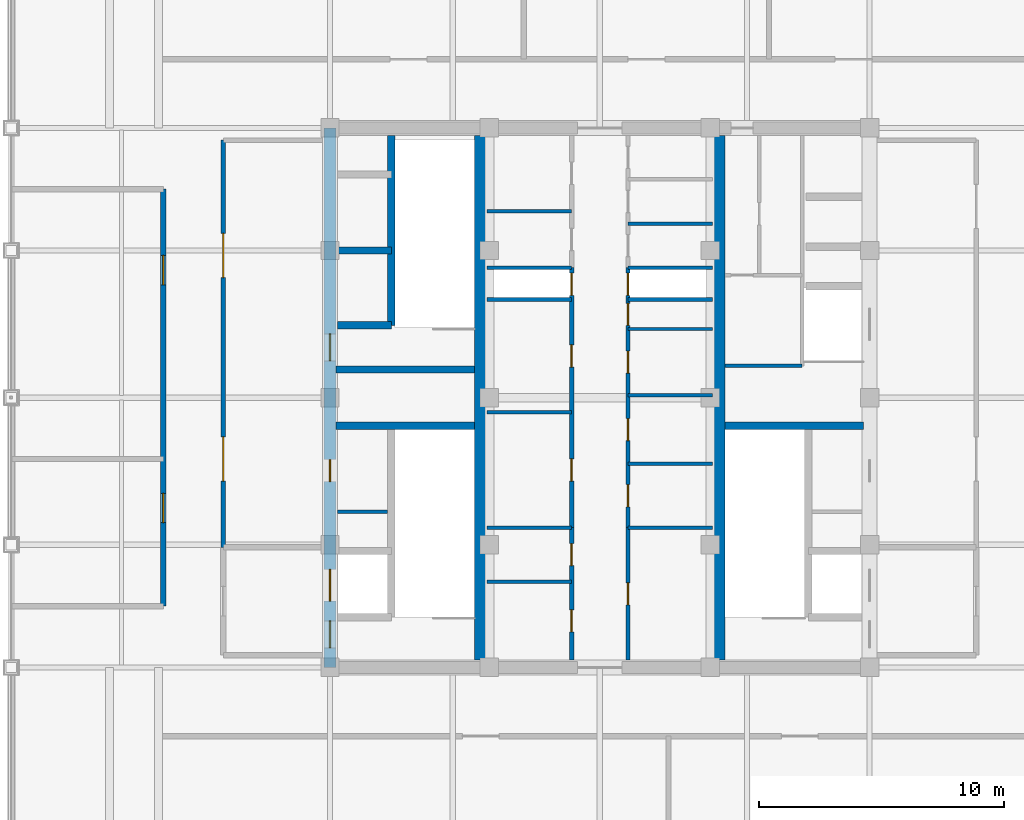
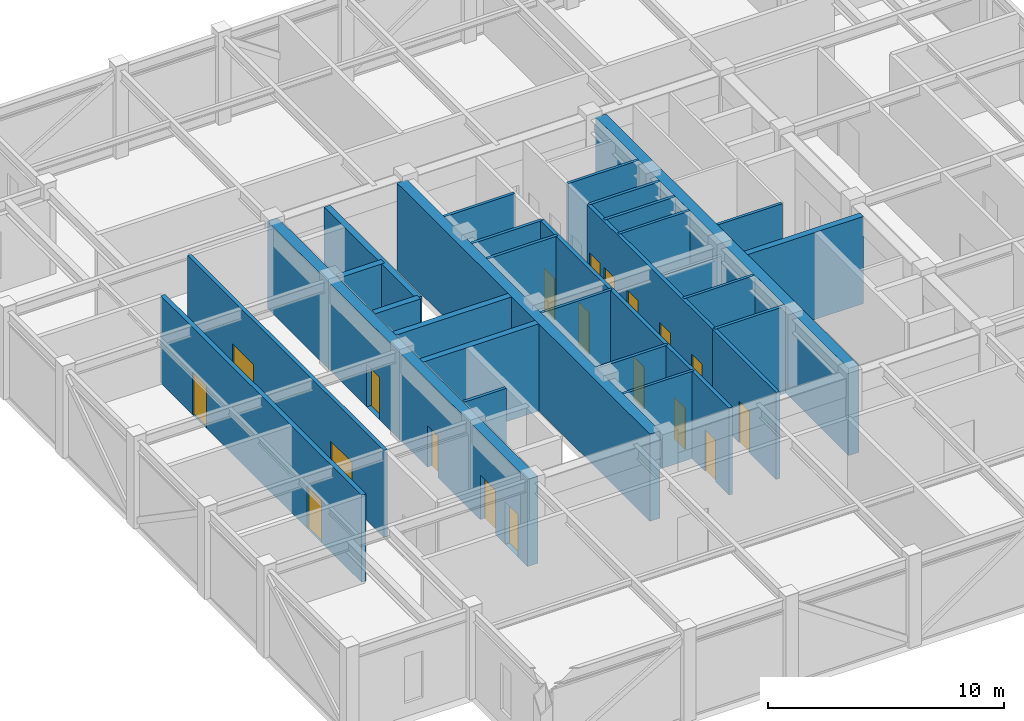
# One storey, part 24 of 27: 30 walls, 19 doors, 19 openings.
"""IFC4 building model written with IfcOpenShell, lengths in metres."""

from ifc_helpers import new_model, si_unit, direction, frame, frame_2d, origin, place, context, subcontext, project, spatial, rectangle, extrude, source, transform, mapped, material, layer, layer_set, type_object, element, fill, save


model = new_model("IFC4")

# Units and contexts
model_context = context("Model", 3, precision=1e-05, world=origin(), true_north=direction((0.0, 1.0)))
body_context = subcontext(model_context, "Body", "Model", "MODEL_VIEW")
ifc_project = project(units=[si_unit("LENGTHUNIT", "METRE"), si_unit("AREAUNIT", "SQUARE_METRE"), si_unit("VOLUMEUNIT", "CUBIC_METRE"), si_unit("PLANEANGLEUNIT", "RADIAN"), si_unit("MASSUNIT", "GRAM", prefix="KILO")], contexts=[model_context])

# Site, building, storey
site_placement = place(None, origin())
site = spatial("IfcSite", under=ifc_project, at=site_placement, CompositionType="ELEMENT")
building_placement = place(site_placement, origin())
building = spatial("IfcBuilding", under=site, at=building_placement, Name="Khorayat Bourse Tower", CompositionType="ELEMENT")
storey_placement = place(building_placement, frame((0.0, 0.0, 399.5)))
storey = spatial("IfcBuildingStorey", under=building, at=storey_placement, Name="L94", CompositionType="ELEMENT", Elevation=399.5)

# Wall, openings, doors
ifc_material_1 = material(Name="Concrete C52/65", Category="concrete")
ifc_layer_1 = layer(ifc_material_1, 0.5)
ifc_layer_set_1 = layer_set([ifc_layer_1], Name="Concrete C52/65")
wall_type_1 = type_object("IfcWallType", Name="WAL-CORE-500", PredefinedType="SHEAR", material=ifc_layer_set_1)
shared_shape_1 = source(origin(), body_context, "Body", "SweptSolid", [
    extrude(rectangle(XDim=22.0, YDim=0.5, at=frame_2d((11.0, 0.0))), origin(), (0.0, 0.0, 1.0), 4.5),
])
wall_1_placement = place(storey_placement, frame((-11.0, -11.0, 0.0), z_axis=(0.0, 0.0, 1.0), x_axis=(0.0, 1.0, 0.0)))
wall_1 = element("IfcWall", 1, at=wall_1_placement, inside=storey, type_object=wall_type_1, Name="L94 Core Shear Wall CORE-W", PredefinedType="SHEAR", context=body_context, shape_type="MappedRepresentation", body=[
    mapped(shared_shape_1, transform((0.0, 0.0, 0.0), scale=1.0)),
])
shared_shape_2 = source(origin(), body_context, "Body", "SweptSolid", [
    extrude(rectangle(XDim=1.10009765625, YDim=2.199951171875, at=frame_2d((0.550048828125, 1.10009765625))), frame((0.0, 0.260009765625, 0.0), z_axis=(0.0, -1.0, 0.0), x_axis=(1.0, 0.0, 0.0)), (0.0, 0.0, 1.0), 0.52001953125),
])
opening_1_placement = place(wall_1_placement, frame((0.800048828125, 0.0, 0.0)))
opening_1 = element("IfcOpeningElement", 2, at=opening_1_placement, cuts=wall_1, Name="Opening DI-01", PredefinedType="OPENING", context=body_context, shape_type="MappedRepresentation", body=[
    mapped(shared_shape_2, transform((0.0, 0.0, 0.0), scale=1.0)),
])
opening_2_placement = place(wall_1_placement, frame((12.5, 0.0, 0.0)))
opening_2 = element("IfcOpeningElement", 3, at=opening_2_placement, cuts=wall_1, Name="Opening DI-01", PredefinedType="OPENING", context=body_context, shape_type="MappedRepresentation", body=[
    mapped(shared_shape_2, transform((0.0, 0.0, 0.0), scale=1.0)),
])
shared_shape_3 = source(origin(), body_context, "Body", "SweptSolid", [
    extrude(rectangle(XDim=0.89990234375, YDim=2.14990234375, at=frame_2d((0.449951171875, 1.074951171875))), frame((0.0, 0.260009765625, 0.0), z_axis=(0.0, -1.0, 0.0), x_axis=(1.0, 0.0, 0.0)), (0.0, 0.0, 1.0), 0.52001953125),
])
opening_3_placement = place(wall_1_placement, frame((7.574951171875, 0.0, 0.0)))
opening_3 = element("IfcOpeningElement", 4, at=opening_3_placement, cuts=wall_1, Name="Opening DI-06", PredefinedType="OPENING", context=body_context, shape_type="MappedRepresentation", body=[
    mapped(shared_shape_3, transform((0.0, 0.0, 0.0), scale=1.0)),
])
shared_shape_4 = source(origin(), body_context, "Body", "SweptSolid", [
    extrude(rectangle(XDim=1.300048828125, YDim=2.300048828125, at=frame_2d((0.64990234375, 1.14990234375))), frame((0.0, 0.260009765625, 0.0), z_axis=(0.0, -1.0, 0.0), x_axis=(1.0, 0.0, 0.0)), (0.0, 0.0, 1.0), 0.52001953125),
])
opening_4_placement = place(wall_1_placement, frame((2.699951171875, 0.0, 0.0)))
opening_4 = element("IfcOpeningElement", 5, at=opening_4_placement, cuts=wall_1, Name="Opening LD-02", PredefinedType="OPENING", context=body_context, shape_type="MappedRepresentation", body=[
    mapped(shared_shape_4, transform((0.0, 0.0, 0.0), scale=1.0)),
])
ifc_material_2 = material(Name="Fire-rated steel acoustic leaf", Category="steel")
door_type_1 = type_object("IfcDoorType", Name="DR-INT-STAIR-1100", OperationType="NOTDEFINED", PredefinedType="DOOR", material=ifc_material_2)
shared_shape_5 = source(origin(), body_context, "Body", "SweptSolid", [
    extrude(rectangle(XDim=1.10009765625, YDim=2.199951171875, at=frame_2d((0.550048828125, 1.10009765625))), frame((0.0, 0.02490234375, 0.0), z_axis=(0.0, -1.0, 0.0), x_axis=(1.0, 0.0, 0.0)), (0.0, 0.0, 1.0), 0.050048828125),
])
door_1_placement = place(opening_1_placement, origin())
door_1 = element("IfcDoor", 6, at=door_1_placement, inside=storey, type_object=door_type_1, Name="L94 Exit Stair 1 Door", OperationType="SINGLE_SWING_RIGHT", OverallHeight=2.199951171875, OverallWidth=1.10009765625, PredefinedType="DOOR", context=body_context, shape_type="MappedRepresentation", body=[
    mapped(shared_shape_5, transform((0.0, 0.0, 0.0), scale=1.0)),
])
fill(opening_1, door_1)
door_2_placement = place(opening_2_placement, origin())
door_2 = element("IfcDoor", 7, at=door_2_placement, inside=storey, type_object=door_type_1, Name="L94 Exit Stair 2 Door", OperationType="SINGLE_SWING_RIGHT", OverallHeight=2.199951171875, OverallWidth=1.10009765625, PredefinedType="DOOR", context=body_context, shape_type="MappedRepresentation", body=[
    mapped(shared_shape_5, transform((0.0, 0.0, 0.0), scale=1.0)),
])
fill(opening_2, door_2)
ifc_material_3 = material(Name="Moisture-resistant laminate washroom door")
door_type_2 = type_object("IfcDoorType", Name="DR-INT-WC-900", OperationType="NOTDEFINED", PredefinedType="DOOR", material=ifc_material_3)
shared_shape_6 = source(origin(), body_context, "Body", "SweptSolid", [
    extrude(rectangle(XDim=0.89990234375, YDim=2.14990234375, at=frame_2d((0.449951171875, 1.074951171875))), frame((0.0, 0.02490234375, 0.0), z_axis=(0.0, -1.0, 0.0), x_axis=(1.0, 0.0, 0.0)), (0.0, 0.0, 1.0), 0.050048828125),
])
door_3_placement = place(opening_3_placement, origin())
door_3 = element("IfcDoor", 8, at=door_3_placement, inside=storey, type_object=door_type_2, Name="L94 UPS Switch Plant Room Door", OperationType="SINGLE_SWING_RIGHT", OverallHeight=2.14990234375, OverallWidth=0.89990234375, PredefinedType="DOOR", context=body_context, shape_type="MappedRepresentation", body=[
    mapped(shared_shape_6, transform((0.0, 0.0, 0.0), scale=1.0)),
])
fill(opening_3, door_3)
ifc_material_4 = material(Name="Fire-rated stainless-steel sliding landing door", Category="steel")
door_type_3 = type_object("IfcDoorType", Name="DR-LIFT-FF-1300", OperationType="NOTDEFINED", PredefinedType="DOOR", material=ifc_material_4)
shared_shape_7 = source(origin(), body_context, "Body", "SweptSolid", [
    extrude(rectangle(XDim=1.300048828125, YDim=2.300048828125, at=frame_2d((0.64990234375, 1.14990234375))), frame((0.0, 0.02490234375, 0.0), z_axis=(0.0, -1.0, 0.0), x_axis=(1.0, 0.0, 0.0)), (0.0, 0.0, 1.0), 0.050048828125),
])
door_4_placement = place(opening_4_placement, origin())
door_4 = element("IfcDoor", 9, at=door_4_placement, inside=storey, type_object=door_type_3, Name="L94 Lift FFL-01 Sliding Landing Door", OperationType="SLIDING_TO_LEFT", OverallHeight=2.300048828125, OverallWidth=1.300048828125, PredefinedType="DOOR", context=body_context, shape_type="MappedRepresentation", body=[
    mapped(shared_shape_7, transform((0.0, 0.0, 0.0), scale=1.0)),
])
fill(opening_4, door_4)

# Walls
shared_shape_8 = source(origin(), body_context, "Body", "SweptSolid", [
    extrude(rectangle(XDim=21.39990234375, YDim=0.5, at=frame_2d((10.699951171875, 0.0))), origin(), (0.0, 0.0, 1.0), 4.5),
])
for number, where, z_axis, x_axis, name in (
    (10, (-4.85009765625, -10.699951171875, 0.0), (0.0, 0.0, 1.0), (0.0, 1.0, 0.0), "L94 Core Shear Wall PIER-W"),
    (11, (4.85009765625, -10.699951171875, 0.0), (0.0, 0.0, 1.0), (0.0, 1.0, 0.0), "L94 Core Shear Wall PIER-E"),
):
    element("IfcWall", number, at=place(storey_placement, frame(where, z_axis=z_axis, x_axis=x_axis)), inside=storey, type_object=wall_type_1, Name=name, PredefinedType="SHEAR", context=body_context, shape_type="MappedRepresentation", body=[
        mapped(shared_shape_8, transform((0.0, 0.0, 0.0), scale=1.0)),
    ])
ifc_material_5 = material(Name="Concrete C50/60", Category="concrete")
ifc_layer_2 = layer(ifc_material_5, 0.300048828125)
ifc_layer_set_2 = layer_set([ifc_layer_2], Name="Concrete C50/60")
wall_type_2 = type_object("IfcWallType", Name="WAL-SHAFT-300", PredefinedType="SHEAR", material=ifc_layer_set_2)
shared_shape_9 = source(origin(), body_context, "Body", "SweptSolid", [
    extrude(rectangle(XDim=5.64990234375, YDim=0.300048828125, at=frame_2d((2.824951171875, 0.0))), origin(), (0.0, 0.0, 1.0), 4.5),
])
for number, where, z_axis, x_axis, name in (
    (12, (-10.75, -1.14990234375, 0.0), (0.0, 0.0, 1.0), (1.0, 0.0, 0.0), "L94 Core Shear Wall ST1-DIV"),
    (13, (-10.75, 1.14990234375, 0.0), (0.0, 0.0, 1.0), (1.0, 0.0, 0.0), "L94 Core Shear Wall ST2-DIV"),
    (14, (5.10009765625, -1.14990234375, 0.0), (0.0, 0.0, 1.0), (1.0, 0.0, 0.0), "L94 Core Shear Wall ST3-DIV"),
):
    element("IfcWall", number, at=place(storey_placement, frame(where, z_axis=z_axis, x_axis=x_axis)), inside=storey, type_object=wall_type_2, Name=name, PredefinedType="SHEAR", context=body_context, shape_type="MappedRepresentation", body=[
        mapped(shared_shape_9, transform((0.0, 0.0, 0.0), scale=1.0)),
    ])
shared_shape_10 = source(origin(), body_context, "Body", "SweptSolid", [
    extrude(rectangle(XDim=2.199951171875, YDim=0.300048828125, at=frame_2d((1.10009765625, 0.0))), origin(), (0.0, 0.0, 1.0), 4.5),
])
for number, where, z_axis, x_axis, name in (
    (15, (-10.699951171875, 2.949951171875, 0.0), (0.0, 0.0, 1.0), (1.0, 0.0, 0.0), "L94 Partition WAL-L94-WPIER-H1S"),
    (16, (-10.699951171875, 6.0, 0.0), (0.0, 0.0, 1.0), (1.0, 0.0, 0.0), "L94 Partition WAL-L94-WPIER-H12"),
):
    element("IfcWall", number, at=place(storey_placement, frame(where, z_axis=z_axis, x_axis=x_axis)), inside=storey, type_object=wall_type_2, Name=name, PredefinedType="SHEAR", context=body_context, shape_type="MappedRepresentation", body=[
        mapped(shared_shape_10, transform((0.0, 0.0, 0.0), scale=1.0)),
    ])
shared_shape_11 = source(origin(), body_context, "Body", "SweptSolid", [
    extrude(rectangle(XDim=7.75, YDim=0.300048828125, at=frame_2d((3.875, 0.0))), origin(), (0.0, 0.0, 1.0), 4.5),
])
wall_2_placement = place(storey_placement, frame((-8.5, 2.949951171875, 0.0), z_axis=(0.0, 0.0, 1.0), x_axis=(0.0, 1.0, 0.0)))
element("IfcWall", 17, at=wall_2_placement, inside=storey, type_object=wall_type_2, Name="L94 Partition WAL-L94-WPIER-ST2S", PredefinedType="SHEAR", context=body_context, shape_type="MappedRepresentation", body=[
    mapped(shared_shape_11, transform((0.0, 0.0, 0.0), scale=1.0)),
])
ifc_material_6 = material(Name="Gypsum plasterboard twin-frame partition")
ifc_layer_3 = layer(ifc_material_6, 0.14990234375)
ifc_layer_set_3 = layer_set([ifc_layer_3], Name="Gypsum plasterboard twin-frame partition")
wall_type_3 = type_object("IfcWallType", Name="WAL-PART-SUITE-150", PredefinedType="PARTITIONING", material=ifc_layer_set_3)
shared_shape_12 = source(origin(), body_context, "Body", "SweptSolid", [
    extrude(rectangle(XDim=2.050048828125, YDim=0.14990234375, at=frame_2d((1.02490234375, 0.0))), origin(), (0.0, 0.0, 1.0), 4.5),
])
wall_3_placement = place(storey_placement, frame((-10.699951171875, -4.64990234375, 0.0), z_axis=(0.0, 0.0, 1.0), x_axis=(1.0, 0.0, 0.0)))
element("IfcWall", 18, at=wall_3_placement, inside=storey, type_object=wall_type_3, Name="L94 Partition WAL-L94-WSRV-S0", PredefinedType="PARTITIONING", context=body_context, shape_type="MappedRepresentation", body=[
    mapped(shared_shape_12, transform((0.0, 0.0, 0.0), scale=1.0)),
])
ifc_material_7 = material(Name="Moisture-resistant masonry partition", Category="masonry")
ifc_layer_4 = layer(ifc_material_7, 0.139892578125)
ifc_layer_set_4 = layer_set([ifc_layer_4], Name="Moisture-resistant masonry partition")
wall_type_4 = type_object("IfcWallType", Name="WAL-PART-WET-140", PredefinedType="PARTITIONING", material=ifc_layer_set_4)
shared_shape_13 = source(origin(), body_context, "Body", "SweptSolid", [
    extrude(rectangle(XDim=3.14990234375, YDim=0.139892578125, at=frame_2d((1.574951171875, 0.0))), origin(), (0.0, 0.0, 1.0), 4.5),
])
wall_4_placement = place(storey_placement, frame((5.10009765625, 1.300048828125, 0.0), z_axis=(0.0, 0.0, 1.0), x_axis=(1.0, 0.0, 0.0)))
element("IfcWall", 19, at=wall_4_placement, inside=storey, type_object=wall_type_4, Name="L94 Partition WAL-L94-ECORE-S", PredefinedType="PARTITIONING", context=body_context, shape_type="MappedRepresentation", body=[
    mapped(shared_shape_13, transform((0.0, 0.0, 0.0), scale=1.0)),
])

# Wall, openings, doors
ifc_material_8 = material(Name="Gypsum plasterboard acoustic stud wall")
ifc_layer_5 = layer(ifc_material_8, 0.179931640625)
ifc_layer_set_5 = layer_set([ifc_layer_5], Name="Gypsum plasterboard acoustic stud wall")
wall_type_5 = type_object("IfcWallType", Name="WAL-PART-CORR-180", PredefinedType="PARTITIONING", material=ifc_layer_set_5)
shared_shape_14 = source(origin(), body_context, "Body", "SweptSolid", [
    extrude(rectangle(XDim=16.60009765625, YDim=0.179931640625, at=frame_2d((8.300048828125, 0.0))), origin(), (0.0, 0.0, 1.0), 4.5),
])
wall_5_placement = place(storey_placement, frame((-15.35009765625, -6.10009765625, 0.0), z_axis=(0.0, 0.0, 1.0), x_axis=(0.0, 1.0, 0.0)))
wall_5 = element("IfcWall", 20, at=wall_5_placement, inside=storey, type_object=wall_type_5, Name="L94 Partition WAL-L94-WLOB-W", PredefinedType="PARTITIONING", context=body_context, shape_type="MappedRepresentation", body=[
    mapped(shared_shape_14, transform((0.0, 0.0, 0.0), scale=1.0)),
])
shared_shape_15 = source(origin(), body_context, "Body", "SweptSolid", [
    extrude(rectangle(XDim=1.800048828125, YDim=2.25, at=frame_2d((0.89990234375, 1.125))), frame((0.0, 0.099853515625, 0.0), z_axis=(0.0, -1.0, 0.0), x_axis=(1.0, 0.0, 0.0)), (0.0, 0.0, 1.0), 0.199951171875),
])
opening_5_placement = place(wall_5_placement, frame((2.699951171875, 0.0, 0.0)))
opening_5 = element("IfcOpeningElement", 21, at=opening_5_placement, cuts=wall_5, Name="Opening DI-03", PredefinedType="OPENING", context=body_context, shape_type="MappedRepresentation", body=[
    mapped(shared_shape_15, transform((0.0, 0.0, 0.0), scale=1.0)),
])
opening_6_placement = place(wall_5_placement, frame((11.0, 0.0, 0.0)))
opening_6 = element("IfcOpeningElement", 22, at=opening_6_placement, cuts=wall_5, Name="Opening DI-03", PredefinedType="OPENING", context=body_context, shape_type="MappedRepresentation", body=[
    mapped(shared_shape_15, transform((0.0, 0.0, 0.0), scale=1.0)),
])
ifc_material_9 = material(Name="Fire-rated hardwood vision-panel double leaf", Category="wood")
door_type_4 = type_object("IfcDoorType", Name="DR-INT-CORR-1800", OperationType="NOTDEFINED", PredefinedType="DOOR", material=ifc_material_9)
shared_shape_16 = source(origin(), body_context, "Body", "SweptSolid", [
    extrude(rectangle(XDim=1.800048828125, YDim=2.25, at=frame_2d((0.89990234375, 1.125))), frame((0.0, 0.02490234375, 0.0), z_axis=(0.0, -1.0, 0.0), x_axis=(1.0, 0.0, 0.0)), (0.0, 0.0, 1.0), 0.050048828125),
])
door_5_placement = place(opening_5_placement, origin())
door_5 = element("IfcDoor", 23, at=door_5_placement, inside=storey, type_object=door_type_4, Name="L94 West Core Lobby South Door", OperationType="SINGLE_SWING_LEFT", OverallHeight=2.25, OverallWidth=1.800048828125, PredefinedType="DOOR", context=body_context, shape_type="MappedRepresentation", body=[
    mapped(shared_shape_16, transform((0.0, 0.0, 0.0), scale=1.0)),
])
fill(opening_5, door_5)
door_6_placement = place(opening_6_placement, origin())
door_6 = element("IfcDoor", 24, at=door_6_placement, inside=storey, type_object=door_type_4, Name="L94 West Core Lobby North Door", OperationType="SINGLE_SWING_RIGHT", OverallHeight=2.25, OverallWidth=1.800048828125, PredefinedType="DOOR", context=body_context, shape_type="MappedRepresentation", body=[
    mapped(shared_shape_16, transform((0.0, 0.0, 0.0), scale=1.0)),
])
fill(opening_6, door_6)

# Walls
shared_shape_17 = source(origin(), body_context, "Body", "SweptSolid", [
    extrude(rectangle(XDim=3.4501953125, YDim=0.14990234375, at=frame_2d((1.72509765625, 0.0))), origin(), (0.0, 0.0, 1.0), 4.5),
])
for number, where, z_axis, x_axis, name in (
    (25, (-4.60009765625, 4.0, 0.0), (0.0, 0.0, 1.0), (1.0, 0.0, 0.0), "L94 Partition WAL-L94-CRSW-S"),
    (26, (1.14990234375, 4.0, 0.0), (0.0, 0.0, 1.0), (1.0, 0.0, 0.0), "L94 Partition WAL-L94-CRSE-S"),
    (27, (-4.60009765625, -5.300048828125, 0.0), (0.0, 0.0, 1.0), (1.0, 0.0, 0.0), "L94 Partition WAL-L94-FB1-NW"),
    (28, (1.14990234375, -5.300048828125, 0.0), (0.0, 0.0, 1.0), (1.0, 0.0, 0.0), "L94 Partition WAL-L94-FB1-NE"),
    (29, (-4.60009765625, 5.300048828125, 0.0), (0.0, 0.0, 1.0), (1.0, 0.0, 0.0), "L94 Partition WAL-L94-FB2-SW"),
    (30, (1.14990234375, 5.300048828125, 0.0), (0.0, 0.0, 1.0), (1.0, 0.0, 0.0), "L94 Partition WAL-L94-FB2-SE"),
):
    element("IfcWall", number, at=place(storey_placement, frame(where, z_axis=z_axis, x_axis=x_axis)), inside=storey, type_object=wall_type_3, Name=name, PredefinedType="PARTITIONING", context=body_context, shape_type="MappedRepresentation", body=[
        mapped(shared_shape_17, transform((0.0, 0.0, 0.0), scale=1.0)),
    ])
shared_shape_18 = source(origin(), body_context, "Body", "SweptSolid", [
    extrude(rectangle(XDim=3.4501953125, YDim=0.139892578125, at=frame_2d((1.72509765625, 0.0))), origin(), (0.0, 0.0, 1.0), 4.5),
])
for number, where, z_axis, x_axis, name in (
    (31, (-4.60009765625, -7.5, 0.0), (0.0, 0.0, 1.0), (1.0, 0.0, 0.0), "L94 Partition WAL-L94-FB1W-D1"),
    (32, (-4.60009765625, 7.60009765625, 0.0), (0.0, 0.0, 1.0), (1.0, 0.0, 0.0), "L94 Partition WAL-L94-FB2W-D1"),
    (33, (1.14990234375, 7.10009765625, 0.0), (0.0, 0.0, 1.0), (1.0, 0.0, 0.0), "L94 Partition WAL-L94-FB2E-D1"),
    (34, (-4.60009765625, -0.60009765625, 0.0), (0.0, 0.0, 1.0), (1.0, 0.0, 0.0), "L94 Partition WAL-L94-CMW-D1"),
    (35, (1.14990234375, -2.699951171875, 0.0), (0.0, 0.0, 1.0), (1.0, 0.0, 0.0), "L94 Partition WAL-L94-CME-D1"),
    (36, (1.14990234375, 2.800048828125, 0.0), (0.0, 0.0, 1.0), (1.0, 0.0, 0.0), "L94 Partition WAL-L94-CME-D3"),
):
    element("IfcWall", number, at=place(storey_placement, frame(where, z_axis=z_axis, x_axis=x_axis)), inside=storey, type_object=wall_type_4, Name=name, PredefinedType="PARTITIONING", context=body_context, shape_type="MappedRepresentation", body=[
        mapped(shared_shape_18, transform((0.0, 0.0, 0.0), scale=1.0)),
    ])

# Wall, openings, doors
shared_shape_19 = source(origin(), body_context, "Body", "SweptSolid", [
    extrude(rectangle(XDim=5.39990234375, YDim=0.179931640625, at=frame_2d((2.699951171875, 0.0))), origin(), (0.0, 0.0, 1.0), 4.5),
])
wall_6_placement = place(storey_placement, frame((-1.14990234375, -10.699951171875, 0.0), z_axis=(0.0, 0.0, 1.0), x_axis=(0.0, 1.0, 0.0)))
wall_6 = element("IfcWall", 37, at=wall_6_placement, inside=storey, type_object=wall_type_5, Name="L94 Partition WAL-L94-FB1W-L", PredefinedType="PARTITIONING", context=body_context, shape_type="MappedRepresentation", body=[
    mapped(shared_shape_19, transform((0.0, 0.0, 0.0), scale=1.0)),
])
shared_shape_20 = source(origin(), body_context, "Body", "SweptSolid", [
    extrude(rectangle(XDim=0.89990234375, YDim=2.14990234375, at=frame_2d((0.449951171875, 1.074951171875))), frame((0.0, 0.099853515625, 0.0), z_axis=(0.0, -1.0, 0.0), x_axis=(1.0, 0.0, 0.0)), (0.0, 0.0, 1.0), 0.199951171875),
])
opening_7_placement = place(wall_6_placement, frame((1.14990234375, 0.0, 0.0)))
opening_7 = element("IfcOpeningElement", 38, at=opening_7_placement, cuts=wall_6, Name="Opening DI-06", PredefinedType="OPENING", context=body_context, shape_type="MappedRepresentation", body=[
    mapped(shared_shape_20, transform((0.0, 0.0, 0.0), scale=1.0)),
])
opening_8_placement = place(wall_6_placement, frame((3.85009765625, 0.0, 0.0)))
opening_8 = element("IfcOpeningElement", 39, at=opening_8_placement, cuts=wall_6, Name="Opening DI-06", PredefinedType="OPENING", context=body_context, shape_type="MappedRepresentation", body=[
    mapped(shared_shape_20, transform((0.0, 0.0, 0.0), scale=1.0)),
])
door_7_placement = place(opening_7_placement, origin())
door_7 = element("IfcDoor", 40, at=door_7_placement, inside=storey, type_object=door_type_2, Name="L94 Records Vault Store Door", OperationType="SINGLE_SWING_RIGHT", OverallHeight=2.14990234375, OverallWidth=0.89990234375, PredefinedType="DOOR", context=body_context, shape_type="MappedRepresentation", body=[
    mapped(shared_shape_6, transform((0.0, 0.0, 0.0), scale=1.0)),
])
fill(opening_7, door_7)
door_8_placement = place(opening_8_placement, origin())
door_8 = element("IfcDoor", 41, at=door_8_placement, inside=storey, type_object=door_type_2, Name="L94 Sprinkler Valve Plant Room Door", OperationType="SINGLE_SWING_LEFT", OverallHeight=2.14990234375, OverallWidth=0.89990234375, PredefinedType="DOOR", context=body_context, shape_type="MappedRepresentation", body=[
    mapped(shared_shape_6, transform((0.0, 0.0, 0.0), scale=1.0)),
])
fill(opening_8, door_8)

# Wall, opening, door
wall_7_placement = place(storey_placement, frame((1.14990234375, -10.699951171875, 0.0), z_axis=(0.0, 0.0, 1.0), x_axis=(0.0, 1.0, 0.0)))
wall_7 = element("IfcWall", 42, at=wall_7_placement, inside=storey, type_object=wall_type_5, Name="L94 Partition WAL-L94-FB1E-L", PredefinedType="PARTITIONING", context=body_context, shape_type="MappedRepresentation", body=[
    mapped(shared_shape_19, transform((0.0, 0.0, 0.0), scale=1.0)),
])
opening_9_placement = place(wall_7_placement, frame((2.25, 0.0, 0.0)))
opening_9 = element("IfcOpeningElement", 43, at=opening_9_placement, cuts=wall_7, Name="Opening DI-06", PredefinedType="OPENING", context=body_context, shape_type="MappedRepresentation", body=[
    mapped(shared_shape_20, transform((0.0, 0.0, 0.0), scale=1.0)),
])
door_9_placement = place(opening_9_placement, origin())
door_9 = element("IfcDoor", 44, at=door_9_placement, inside=storey, type_object=door_type_2, Name="L94 Telemetry Server Plant Room Door", OperationType="SINGLE_SWING_RIGHT", OverallHeight=2.14990234375, OverallWidth=0.89990234375, PredefinedType="DOOR", context=body_context, shape_type="MappedRepresentation", body=[
    mapped(shared_shape_6, transform((0.0, 0.0, 0.0), scale=1.0)),
])
fill(opening_9, door_9)

# Wall, openings, doors
shared_shape_21 = source(origin(), body_context, "Body", "SweptSolid", [
    extrude(rectangle(XDim=10.60009765625, YDim=0.179931640625, at=frame_2d((5.300048828125, 0.0))), origin(), (0.0, 0.0, 1.0), 4.5),
])
wall_8_placement = place(storey_placement, frame((-1.14990234375, -5.300048828125, 0.0), z_axis=(0.0, 0.0, 1.0), x_axis=(0.0, 1.0, 0.0)))
wall_8 = element("IfcWall", 45, at=wall_8_placement, inside=storey, type_object=wall_type_5, Name="L94 Partition WAL-L94-CMW-L", PredefinedType="PARTITIONING", context=body_context, shape_type="MappedRepresentation", body=[
    mapped(shared_shape_21, transform((0.0, 0.0, 0.0), scale=1.0)),
])
opening_10_placement = place(wall_8_placement, frame((1.89990234375, 0.0, 0.0)))
opening_10 = element("IfcOpeningElement", 46, at=opening_10_placement, cuts=wall_8, Name="Opening DI-06", PredefinedType="OPENING", context=body_context, shape_type="MappedRepresentation", body=[
    mapped(shared_shape_20, transform((0.0, 0.0, 0.0), scale=1.0)),
])
opening_11_placement = place(wall_8_placement, frame((6.550048828125, 0.0, 0.0)))
opening_11 = element("IfcOpeningElement", 47, at=opening_11_placement, cuts=wall_8, Name="Opening DI-06", PredefinedType="OPENING", context=body_context, shape_type="MappedRepresentation", body=[
    mapped(shared_shape_20, transform((0.0, 0.0, 0.0), scale=1.0)),
])
opening_12_placement = place(wall_8_placement, frame((9.47509765625, 0.0, 0.0)))
opening_12 = element("IfcOpeningElement", 48, at=opening_12_placement, cuts=wall_8, Name="Opening DI-06", PredefinedType="OPENING", context=body_context, shape_type="MappedRepresentation", body=[
    mapped(shared_shape_20, transform((0.0, 0.0, 0.0), scale=1.0)),
])
door_10_placement = place(opening_10_placement, origin())
door_10 = element("IfcDoor", 49, at=door_10_placement, inside=storey, type_object=door_type_2, Name="L94 Male Core Washroom Door", OperationType="SINGLE_SWING_RIGHT", OverallHeight=2.14990234375, OverallWidth=0.89990234375, PredefinedType="DOOR", context=body_context, shape_type="MappedRepresentation", body=[
    mapped(shared_shape_6, transform((0.0, 0.0, 0.0), scale=1.0)),
])
fill(opening_10, door_10)
door_11_placement = place(opening_11_placement, origin())
door_11 = element("IfcDoor", 50, at=door_11_placement, inside=storey, type_object=door_type_2, Name="L94 Chilled Water Riser Plant Room Door", OperationType="SINGLE_SWING_LEFT", OverallHeight=2.14990234375, OverallWidth=0.89990234375, PredefinedType="DOOR", context=body_context, shape_type="MappedRepresentation", body=[
    mapped(shared_shape_6, transform((0.0, 0.0, 0.0), scale=1.0)),
])
fill(opening_11, door_11)
door_12_placement = place(opening_12_placement, origin())
door_12 = element("IfcDoor", 51, at=door_12_placement, inside=storey, type_object=door_type_2, Name="L94 West Core Riser Door", OperationType="SINGLE_SWING_LEFT", OverallHeight=2.14990234375, OverallWidth=0.89990234375, PredefinedType="DOOR", context=body_context, shape_type="MappedRepresentation", body=[
    mapped(shared_shape_6, transform((0.0, 0.0, 0.0), scale=1.0)),
])
fill(opening_12, door_12)

wall_9_placement = place(storey_placement, frame((1.14990234375, -5.300048828125, 0.0), z_axis=(0.0, 0.0, 1.0), x_axis=(0.0, 1.0, 0.0)))
wall_9 = element("IfcWall", 52, at=wall_9_placement, inside=storey, type_object=wall_type_5, Name="L94 Partition WAL-L94-CME-L", PredefinedType="PARTITIONING", context=body_context, shape_type="MappedRepresentation", body=[
    mapped(shared_shape_21, transform((0.0, 0.0, 0.0), scale=1.0)),
])
opening_13_placement = place(wall_9_placement, frame((0.85009765625, 0.0, 0.0)))
opening_13 = element("IfcOpeningElement", 53, at=opening_13_placement, cuts=wall_9, Name="Opening DI-06", PredefinedType="OPENING", context=body_context, shape_type="MappedRepresentation", body=[
    mapped(shared_shape_20, transform((0.0, 0.0, 0.0), scale=1.0)),
])
opening_14_placement = place(wall_9_placement, frame((3.550048828125, 0.0, 0.0)))
opening_14 = element("IfcOpeningElement", 54, at=opening_14_placement, cuts=wall_9, Name="Opening DI-06", PredefinedType="OPENING", context=body_context, shape_type="MappedRepresentation", body=[
    mapped(shared_shape_20, transform((0.0, 0.0, 0.0), scale=1.0)),
])
opening_15_placement = place(wall_9_placement, frame((6.300048828125, 0.0, 0.0)))
opening_15 = element("IfcOpeningElement", 55, at=opening_15_placement, cuts=wall_9, Name="Opening DI-06", PredefinedType="OPENING", context=body_context, shape_type="MappedRepresentation", body=[
    mapped(shared_shape_20, transform((0.0, 0.0, 0.0), scale=1.0)),
])
opening_16_placement = place(wall_9_placement, frame((8.25, 0.0, 0.0)))
opening_16 = element("IfcOpeningElement", 56, at=opening_16_placement, cuts=wall_9, Name="Opening DI-06", PredefinedType="OPENING", context=body_context, shape_type="MappedRepresentation", body=[
    mapped(shared_shape_20, transform((0.0, 0.0, 0.0), scale=1.0)),
])
opening_17_placement = place(wall_9_placement, frame((9.47509765625, 0.0, 0.0)))
opening_17 = element("IfcOpeningElement", 57, at=opening_17_placement, cuts=wall_9, Name="Opening DI-06", PredefinedType="OPENING", context=body_context, shape_type="MappedRepresentation", body=[
    mapped(shared_shape_20, transform((0.0, 0.0, 0.0), scale=1.0)),
])
door_13_placement = place(opening_13_placement, origin())
door_13 = element("IfcDoor", 58, at=door_13_placement, inside=storey, type_object=door_type_2, Name="L94 Female Core Washroom Door", OperationType="SINGLE_SWING_RIGHT", OverallHeight=2.14990234375, OverallWidth=0.89990234375, PredefinedType="DOOR", context=body_context, shape_type="MappedRepresentation", body=[
    mapped(shared_shape_6, transform((0.0, 0.0, 0.0), scale=1.0)),
])
fill(opening_13, door_13)
door_14_placement = place(opening_14_placement, origin())
door_14 = element("IfcDoor", 59, at=door_14_placement, inside=storey, type_object=door_type_2, Name="L94 Comms Patch Room Door", OperationType="SINGLE_SWING_LEFT", OverallHeight=2.14990234375, OverallWidth=0.89990234375, PredefinedType="DOOR", context=body_context, shape_type="MappedRepresentation", body=[
    mapped(shared_shape_6, transform((0.0, 0.0, 0.0), scale=1.0)),
])
fill(opening_14, door_14)
door_15_placement = place(opening_15_placement, origin())
door_15 = element("IfcDoor", 60, at=door_15_placement, inside=storey, type_object=door_type_2, Name="L94 Janitor Cupboard Door", OperationType="SINGLE_SWING_RIGHT", OverallHeight=2.14990234375, OverallWidth=0.89990234375, PredefinedType="DOOR", context=body_context, shape_type="MappedRepresentation", body=[
    mapped(shared_shape_6, transform((0.0, 0.0, 0.0), scale=1.0)),
])
fill(opening_15, door_15)
door_16_placement = place(opening_16_placement, origin())
door_16 = element("IfcDoor", 61, at=door_16_placement, inside=storey, type_object=door_type_2, Name="L94 Fire Valve Plant Room Door", OperationType="SINGLE_SWING_LEFT", OverallHeight=2.14990234375, OverallWidth=0.89990234375, PredefinedType="DOOR", context=body_context, shape_type="MappedRepresentation", body=[
    mapped(shared_shape_6, transform((0.0, 0.0, 0.0), scale=1.0)),
])
fill(opening_16, door_16)
door_17_placement = place(opening_17_placement, origin())
door_17 = element("IfcDoor", 62, at=door_17_placement, inside=storey, type_object=door_type_2, Name="L94 East Core Riser Door", OperationType="SINGLE_SWING_RIGHT", OverallHeight=2.14990234375, OverallWidth=0.89990234375, PredefinedType="DOOR", context=body_context, shape_type="MappedRepresentation", body=[
    mapped(shared_shape_6, transform((0.0, 0.0, 0.0), scale=1.0)),
])
fill(opening_17, door_17)

# Wall
shared_shape_22 = source(origin(), body_context, "Body", "SweptSolid", [
    extrude(rectangle(XDim=3.4501953125, YDim=0.139892578125, at=frame_2d((1.72509765625, 0.0))), origin(), (0.0, 0.0, 1.0), 3.804931640625),
])
wall_10_placement = place(storey_placement, frame((1.14990234375, 0.10009765625, 0.0), z_axis=(0.0, 0.0, 1.0), x_axis=(1.0, 0.0, 0.0)))
element("IfcWall", 63, at=wall_10_placement, inside=storey, type_object=wall_type_4, Name="L94 Partition WAL-L94-CME-D2", PredefinedType="PARTITIONING", context=body_context, shape_type="MappedRepresentation", body=[
    mapped(shared_shape_22, transform((0.0, 0.0, 0.0), scale=1.0)),
])

# Wall, openings, doors
ifc_material_10 = material(Name="Aerated concrete blockwork", Category="masonry")
ifc_layer_6 = layer(ifc_material_10, 0.219970703125)
ifc_layer_set_6 = layer_set([ifc_layer_6], Name="Aerated concrete blockwork")
wall_type_6 = type_object("IfcWallType", Name="WAL-PART-FF-220", PredefinedType="PARTITIONING", material=ifc_layer_set_6)
shared_shape_23 = source(origin(), body_context, "Body", "SweptSolid", [
    extrude(rectangle(XDim=17.0, YDim=0.219970703125, at=frame_2d((8.5, 0.0))), origin(), (0.0, 0.0, 1.0), 4.5),
])
wall_11_placement = place(storey_placement, frame((-17.800048828125, -8.5, 0.0), z_axis=(0.0, 0.0, 1.0), x_axis=(0.0, 1.0, 0.0)))
wall_11 = element("IfcWall", 64, at=wall_11_placement, inside=storey, type_object=wall_type_6, Name="L94 Partition WAL-L94-PLW-E", PredefinedType="PARTITIONING", context=body_context, shape_type="MappedRepresentation", body=[
    mapped(shared_shape_23, transform((0.0, 0.0, 0.0), scale=1.0)),
])
shared_shape_24 = source(origin(), body_context, "Body", "SweptSolid", [
    extrude(rectangle(XDim=1.199951171875, YDim=2.199951171875, at=frame_2d((0.60009765625, 1.10009765625))), frame((0.0, 0.119873046875, 0.0), z_axis=(0.0, -1.0, 0.0), x_axis=(1.0, 0.0, 0.0)), (0.0, 0.0, 1.0), 0.239990234375),
])
opening_18_placement = place(wall_11_placement, frame((3.39990234375, 0.0, 0.0)))
opening_18 = element("IfcOpeningElement", 65, at=opening_18_placement, cuts=wall_11, Name="Opening DI-02", PredefinedType="OPENING", context=body_context, shape_type="MappedRepresentation", body=[
    mapped(shared_shape_24, transform((0.0, 0.0, 0.0), scale=1.0)),
])
opening_19_placement = place(wall_11_placement, frame((13.10009765625, 0.0, 0.0)))
opening_19 = element("IfcOpeningElement", 66, at=opening_19_placement, cuts=wall_11, Name="Opening DI-02", PredefinedType="OPENING", context=body_context, shape_type="MappedRepresentation", body=[
    mapped(shared_shape_24, transform((0.0, 0.0, 0.0), scale=1.0)),
])
ifc_material_11 = material(Name="Fire-rated steel double-seal leaf", Category="steel")
door_type_5 = type_object("IfcDoorType", Name="DR-INT-FFLOBBY-1200", OperationType="NOTDEFINED", PredefinedType="DOOR", material=ifc_material_11)
shared_shape_25 = source(origin(), body_context, "Body", "SweptSolid", [
    extrude(rectangle(XDim=1.199951171875, YDim=2.199951171875, at=frame_2d((0.60009765625, 1.10009765625))), frame((0.0, 0.02490234375, 0.0), z_axis=(0.0, -1.0, 0.0), x_axis=(1.0, 0.0, 0.0)), (0.0, 0.0, 1.0), 0.050048828125),
])
door_18_placement = place(opening_18_placement, origin())
door_18 = element("IfcDoor", 67, at=door_18_placement, inside=storey, type_object=door_type_5, Name="L94 Heat Recovery Plant South Door", OperationType="SINGLE_SWING_LEFT", OverallHeight=2.199951171875, OverallWidth=1.199951171875, PredefinedType="DOOR", context=body_context, shape_type="MappedRepresentation", body=[
    mapped(shared_shape_25, transform((0.0, 0.0, 0.0), scale=1.0)),
])
fill(opening_18, door_18)
door_19_placement = place(opening_19_placement, origin())
door_19 = element("IfcDoor", 68, at=door_19_placement, inside=storey, type_object=door_type_5, Name="L94 Lighting Control Door", OperationType="SINGLE_SWING_RIGHT", OverallHeight=2.199951171875, OverallWidth=1.199951171875, PredefinedType="DOOR", context=body_context, shape_type="MappedRepresentation", body=[
    mapped(shared_shape_25, transform((0.0, 0.0, 0.0), scale=1.0)),
])
fill(opening_19, door_19)

save(model, "model.ifc")
